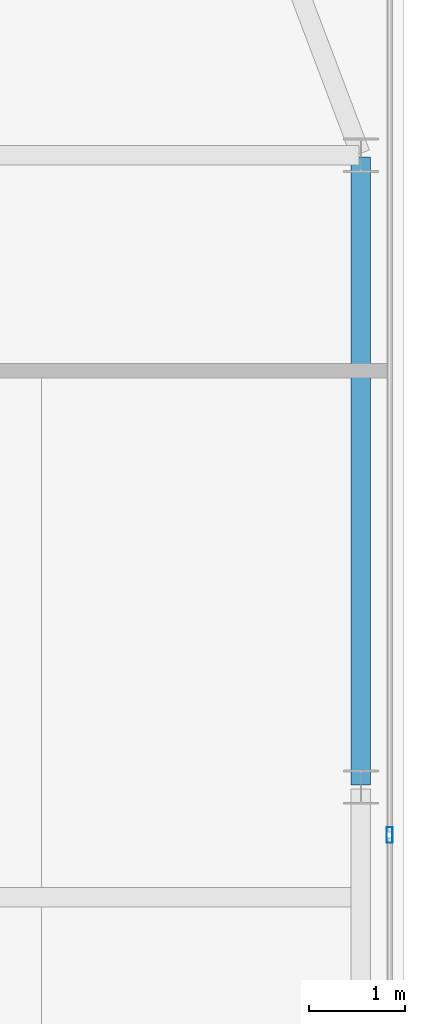
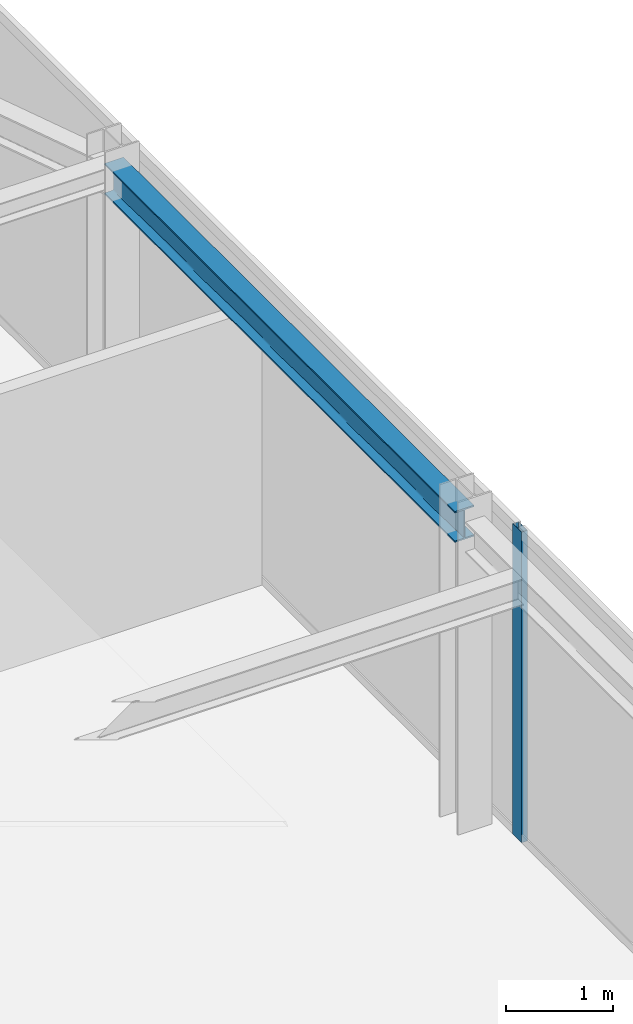
# One storey, part 16 of 27: 1 beam, 1 member, 1 element without a shape of its own.
"""IFC4 building model written with IfcOpenShell, lengths in metres."""

from ifc_helpers import new_model, si_unit, direction, frame, origin, origin_2d, place, context, subcontext, project, spatial, hollow_rectangle, i_section, extrude, source, transform, mapped, material, layer, layer_set, material_profile, profile_set, type_object, type_shapes, element, aggregate, save


model = new_model("IFC4")

# Units and contexts
model_context = context("Model", 3, precision=1e-05, world=origin(), true_north=direction((0.0, 1.0)))
body_context = subcontext(model_context, "Body", "Model", "MODEL_VIEW")
ifc_project = project(units=[si_unit("LENGTHUNIT", "METRE"), si_unit("AREAUNIT", "SQUARE_METRE"), si_unit("VOLUMEUNIT", "CUBIC_METRE"), si_unit("PLANEANGLEUNIT", "RADIAN"), si_unit("MASSUNIT", "GRAM", prefix="KILO")], contexts=[model_context])

# Site, building, storey
site_placement = place(None, origin())
site = spatial("IfcSite", under=ifc_project, at=site_placement, CompositionType="ELEMENT")
building_placement = place(site_placement, origin())
building = spatial("IfcBuilding", under=site, at=building_placement, Name="Varnel Quay Broadcast Tower", CompositionType="ELEMENT")
storey_placement = place(building_placement, frame((0.0, 0.0, 203.60009765625)))
storey = spatial("IfcBuildingStorey", under=building, at=storey_placement, Name="L50", CompositionType="ELEMENT", Elevation=203.60009765625)

# Beam
ifc_material_1 = material(Name="Structural Steel CSA G40.21 350W", Category="steel")
ifc_material_profile_1 = material_profile(ifc_material_1, i_section(OverallWidth=0.205078125, OverallDepth=0.35400390625, WebThickness=0.009521484375, FlangeThickness=0.016845703125, FilletRadius=0.012939453125, at=origin_2d()), Name="W360X79")
ifc_profile_set_1 = profile_set([ifc_material_profile_1], Name="Structural Steel CSA G40.21 350W")
beam_type = type_object("IfcBeamType", Name="Beam_W360X79", PredefinedType="SPANDREL", material=ifc_profile_set_1)
shared_shape_1 = source(origin(), body_context, "Body", "SweptSolid", [
    extrude(i_section(OverallWidth=0.205078125, OverallDepth=0.35400390625, WebThickness=0.009521484375, FlangeThickness=0.016845703125, FilletRadius=0.012939453125, at=origin_2d()), origin(), (0.0, 0.0, 1.0), 6.56005859375),
])
type_shapes(beam_type, [shared_shape_1])
beam_placement = place(storey_placement, frame((58.050048828125, 29.02001953125, 3.372802734375), z_axis=(0.0, 1.0, 0.0), x_axis=(-1.0, 0.0, 0.0)))
element("IfcBeam", 1, at=beam_placement, inside=storey, type_object=beam_type, Name="L50 East Spandrel TC-E2-TC-E3", PredefinedType="SPANDREL", context=body_context, shape_type="MappedRepresentation", body=[
    mapped(shared_shape_1, transform((0.0, 0.0, 0.0), x_axis=(1.0, 0.0, 0.0), y_axis=(0.0, 1.0, 0.0), z_axis=(0.0, 0.0, 1.0), scale=1.0)),
])

# Curtain wall, member
ifc_material_2 = material(Name="Anodised Bronze Aluminium 6063-T6", Category="aluminium")
ifc_layer = layer(ifc_material_2, 0.18994140625, Name="Anodised Bronze Aluminium 6063-T6")
ifc_layer_set = layer_set([ifc_layer], Name="Anodised Bronze Aluminium 6063-T6")
curtain_wall_type = type_object("IfcCurtainWallType", Name="CW_UpperTower", PredefinedType="NOTDEFINED", material=ifc_layer_set)
curtain_wall_placement = place(storey_placement, origin())
curtain_wall = element("IfcCurtainWall", 2, at=curtain_wall_placement, inside=storey, type_object=curtain_wall_type, Name="L50 East Unitised Curtain Wall", PredefinedType="NOTDEFINED")
ifc_material_profile_2 = material_profile(ifc_material_2, hollow_rectangle(XDim=0.06494140625, YDim=0.1650390625, WallThickness=0.00341796875, at=origin_2d()), Name="ALU65X165X3.5")
ifc_profile_set_2 = profile_set([ifc_material_profile_2], Name="Anodised Bronze Aluminium 6063-T6")
member_type = type_object("IfcMemberType", Name="Mull_CWS-03", PredefinedType="MULLION", material=ifc_profile_set_2)
shared_shape_2 = source(origin(), body_context, "Body", "SweptSolid", [
    extrude(hollow_rectangle(XDim=0.06494140625, YDim=0.1650390625, WallThickness=0.00341796875, at=origin_2d()), origin(), (0.0, 0.0, 1.0), 3.5498046875),
])
type_shapes(member_type, [shared_shape_2])
member_placement = place(storey_placement, frame((58.35009765625, 28.5, 0.0), z_axis=(0.0, 0.0, 1.0), x_axis=(-1.0, 0.0, 0.0)))
member = element("IfcMember", 3, at=member_placement, type_object=member_type, Name="CWS-03 mullion 2", PredefinedType="MULLION", context=body_context, shape_type="MappedRepresentation", body=[
    mapped(shared_shape_2, transform((0.0, 0.0, 0.0), x_axis=(1.0, 0.0, 0.0), y_axis=(0.0, 1.0, 0.0), z_axis=(0.0, 0.0, 1.0), scale=1.0)),
])
aggregate(curtain_wall, [member])

save(model, "model.ifc")
